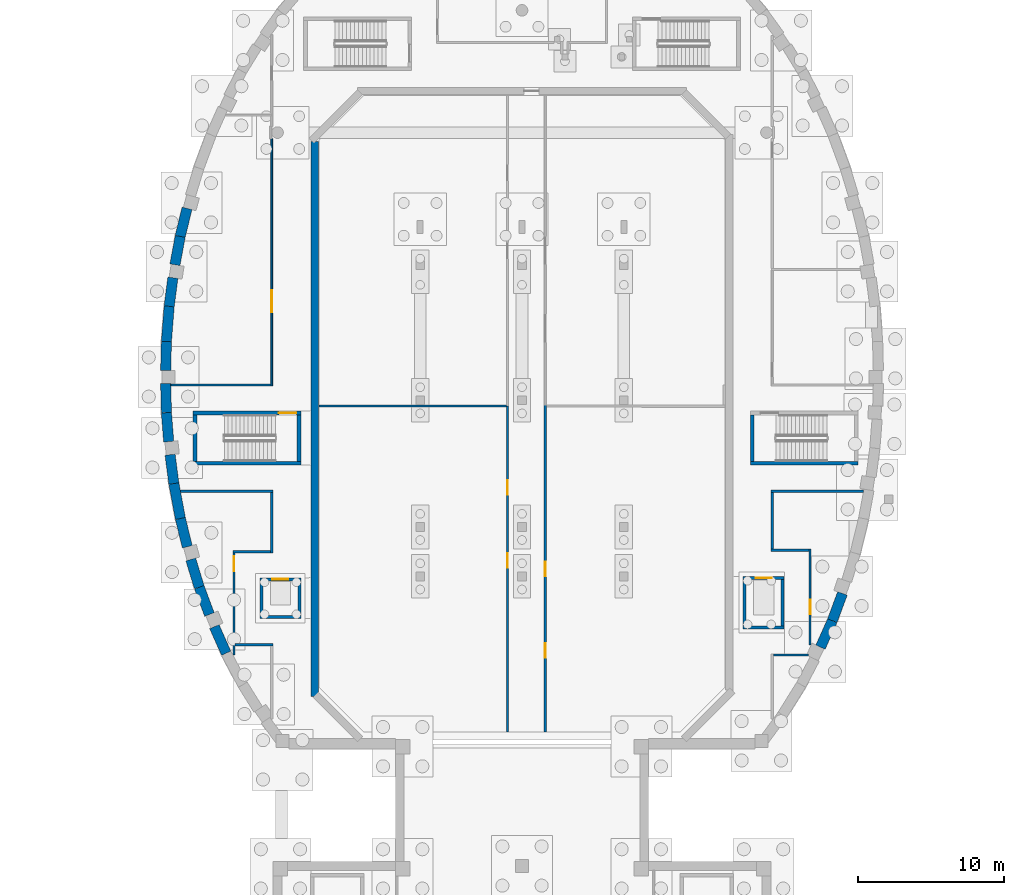
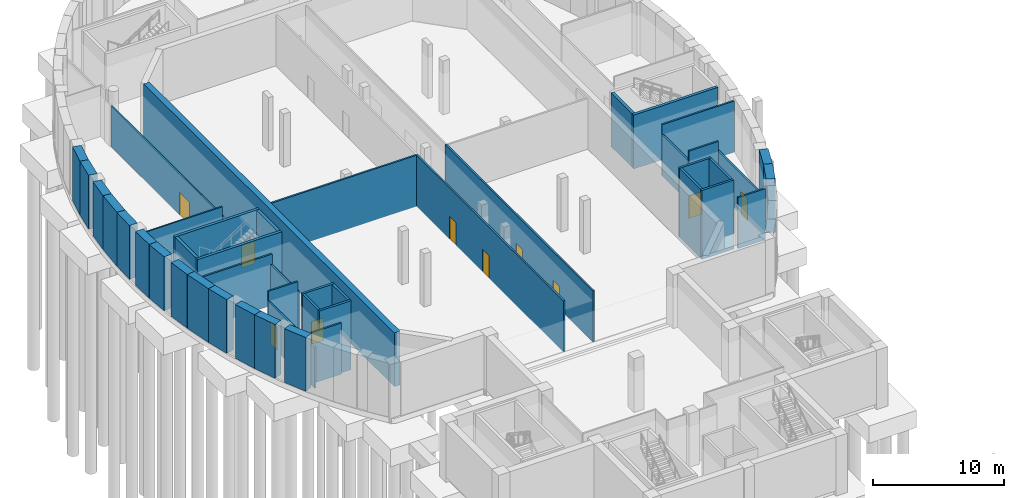
# One storey, part 14 of 33: 45 walls, 10 doors, 10 openings.
"""IFC4 building model written with IfcOpenShell, lengths in metres."""

from ifc_helpers import new_model, si_unit, direction, frame, frame_2d, origin, place, context, subcontext, project, spatial, rectangle, extrude, material, layer, layer_set, type_object, element, fill, save


model = new_model("IFC4")

# Units and contexts
model_context = context("Model", 3, precision=1e-05, world=origin(), true_north=direction((0.0, 1.0)))
body_context = subcontext(model_context, "Body", "Model", "MODEL_VIEW")
ifc_project = project(units=[si_unit("LENGTHUNIT", "METRE"), si_unit("AREAUNIT", "SQUARE_METRE"), si_unit("VOLUMEUNIT", "CUBIC_METRE"), si_unit("PLANEANGLEUNIT", "RADIAN"), si_unit("MASSUNIT", "GRAM", prefix="KILO")], contexts=[model_context])

# Site, building, storey
site_placement = place(None, origin())
site = spatial("IfcSite", under=ifc_project, at=site_placement, CompositionType="ELEMENT")
building_placement = place(site_placement, origin())
building = spatial("IfcBuilding", under=site, at=building_placement, Name="Larchfold Concert Hall", CompositionType="ELEMENT")
storey_placement = place(building_placement, frame((0.0, 0.0, -5.0)))
storey = spatial("IfcBuildingStorey", under=building, at=storey_placement, Name="B1", CompositionType="ELEMENT", Elevation=-5.0)

# Wall, opening, door
ifc_material_1 = material(Name="Plasterboard partition on steel studs", Category="steel")
ifc_layer_1 = layer(ifc_material_1, 0.125)
ifc_layer_set_1 = layer_set([ifc_layer_1], Name="Plasterboard partition on steel studs")
wall_type_1 = type_object("IfcWallType", Name="Corridor partition 125 EI 60", PredefinedType="PARTITIONING", material=ifc_layer_set_1)
wall_1_placement = place(storey_placement, frame((25.399169921875, 100.97998046875, 0.0), z_axis=(0.0, 0.0, 1.0), x_axis=(4.3102829e-05, -0.999999999071, 0.0)))
wall_1 = element("IfcWall", 1, at=wall_1_placement, inside=storey, type_object=wall_type_1, Name="Partition IW0027", PredefinedType="PARTITIONING", context=body_context, shape_type="SweptSolid", body=[
    extrude(rectangle(XDim=16.992431640625, YDim=0.125, at=frame_2d((8.49609375, 0.0))), origin(), (0.0, 0.0, 1.0), 3.800048828125),
])
opening_1_placement = place(wall_1_placement, frame((10.42236328125, 0.0, 0.0)))
opening_1 = element("IfcOpeningElement", 2, at=opening_1_placement, cuts=wall_1, Name="Opening D-B1-113", PredefinedType="OPENING", context=body_context, shape_type="SweptSolid", body=[
    extrude(rectangle(XDim=1.5, YDim=2.10009765625, at=frame_2d((0.75, 1.050048828125))), frame((0.0, 0.072509765625, 0.0), z_axis=(0.0, -1.0, 0.0), x_axis=(1.0, 0.0, 0.0)), (0.0, 0.0, 1.0), 0.14501953125),
])
ifc_material_2 = material(Name="Timber door leaf", Category="wood")
door_type_1 = type_object("IfcDoorType", Name="Cafe, shop and cloakroom door pair 1500 x 2100 FD30S", OperationType="SINGLE_SWING_LEFT", PredefinedType="DOOR", material=ifc_material_2)
door_1_placement = place(opening_1_placement, origin())
door_1 = element("IfcDoor", 3, at=door_1_placement, inside=storey, type_object=door_type_1, Name="Door D-B1-113", OperationType="DOUBLE_DOOR_SINGLE_SWING", OverallHeight=2.10009765625, OverallWidth=1.5, PredefinedType="DOOR", context=body_context, shape_type="SweptSolid", body=[
    extrude(rectangle(XDim=1.5, YDim=2.10009765625, at=frame_2d((0.75, 1.050048828125))), frame((0.0, 0.02490234375, 0.0), z_axis=(0.0, -1.0, 0.0), x_axis=(1.0, 0.0, 0.0)), (0.0, 0.0, 1.0), 0.050048828125),
])
fill(opening_1, door_1)

# Wall
wall_2_placement = place(storey_placement, frame((25.33740234375, 84.050048828125, 0.0), z_axis=(0.0, 0.0, 1.0), x_axis=(-1.0, 0.0, 0.0)))
element("IfcWall", 4, at=wall_2_placement, inside=storey, type_object=wall_type_1, Name="Partition IW0028", PredefinedType="PARTITIONING", context=body_context, shape_type="SweptSolid", body=[
    extrude(rectangle(XDim=6.872314453125, YDim=0.125, at=frame_2d((3.43603515625, 0.0))), origin(), (0.0, 0.0, 1.0), 4.75),
])

# Wall, openings, doors
ifc_material_3 = material(Name="Plasterboard partition on steel studs", Category="steel")
ifc_layer_2 = layer(ifc_material_3, 0.14990234375)
ifc_layer_set_2 = layer_set([ifc_layer_2], Name="Plasterboard partition on steel studs")
wall_type_2 = type_object("IfcWallType", Name="Shaft and plant partition 150 EI 120", PredefinedType="PARTITIONING", material=ifc_layer_set_2)
wall_3_placement = place(storey_placement, frame((44.199951171875, 60.199951171875, 0.0), z_axis=(0.0, 0.0, 1.0), x_axis=(0.0, 1.0, 0.0)))
wall_3 = element("IfcWall", 5, at=wall_3_placement, inside=storey, type_object=wall_type_2, Name="Partition IW0001", PredefinedType="PARTITIONING", context=body_context, shape_type="SweptSolid", body=[
    extrude(rectangle(XDim=22.47509765625, YDim=0.14990234375, at=frame_2d((11.237548828125, 0.0))), origin(), (0.0, 0.0, 1.0), 4.75),
])
opening_2_placement = place(wall_3_placement, frame((10.7099609375, 0.0, 0.0)))
opening_2 = element("IfcOpeningElement", 6, at=opening_2_placement, cuts=wall_3, Name="Opening D-B1-100", PredefinedType="OPENING", context=body_context, shape_type="SweptSolid", body=[
    extrude(rectangle(XDim=1.0, YDim=2.10009765625, at=frame_2d((0.5, 1.050048828125))), frame((0.0, 0.0849609375, 0.0), z_axis=(0.0, -1.0, 0.0), x_axis=(1.0, 0.0, 0.0)), (0.0, 0.0, 1.0), 0.169921875),
])
opening_3_placement = place(wall_3_placement, frame((5.10498046875, 0.0, 0.0)))
opening_3 = element("IfcOpeningElement", 7, at=opening_3_placement, cuts=wall_3, Name="Opening D-B1-101", PredefinedType="OPENING", context=body_context, shape_type="SweptSolid", body=[
    extrude(rectangle(XDim=1.0, YDim=2.10009765625, at=frame_2d((0.5, 1.050048828125))), frame((0.0, 0.0849609375, 0.0), z_axis=(0.0, -1.0, 0.0), x_axis=(1.0, 0.0, 0.0)), (0.0, 0.0, 1.0), 0.169921875),
])
ifc_material_4 = material(Name="Timber door leaf", Category="wood")
door_type_2 = type_object("IfcDoorType", Name="Plant room door 1000 x 2100 FD60", OperationType="SINGLE_SWING_LEFT", PredefinedType="DOOR", material=ifc_material_4)
door_2_placement = place(opening_2_placement, origin())
door_2 = element("IfcDoor", 8, at=door_2_placement, inside=storey, type_object=door_type_2, Name="Door D-B1-100", OperationType="SINGLE_SWING_LEFT", OverallHeight=2.10009765625, OverallWidth=1.0, PredefinedType="DOOR", context=body_context, shape_type="SweptSolid", body=[
    extrude(rectangle(XDim=1.0, YDim=2.10009765625, at=frame_2d((0.5, 1.050048828125))), frame((0.0, 0.02490234375, 0.0), z_axis=(0.0, -1.0, 0.0), x_axis=(1.0, 0.0, 0.0)), (0.0, 0.0, 1.0), 0.050048828125),
])
fill(opening_2, door_2)
door_3_placement = place(opening_3_placement, origin())
door_3 = element("IfcDoor", 9, at=door_3_placement, inside=storey, type_object=door_type_2, Name="Door D-B1-101", OperationType="SINGLE_SWING_LEFT", OverallHeight=2.10009765625, OverallWidth=1.0, PredefinedType="DOOR", context=body_context, shape_type="SweptSolid", body=[
    extrude(rectangle(XDim=1.0, YDim=2.10009765625, at=frame_2d((0.5, 1.050048828125))), frame((0.0, 0.02490234375, 0.0), z_axis=(0.0, -1.0, 0.0), x_axis=(1.0, 0.0, 0.0)), (0.0, 0.0, 1.0), 0.050048828125),
])
fill(opening_3, door_3)

wall_4_placement = place(storey_placement, frame((41.60009765625, 60.199951171875, 0.0), z_axis=(0.0, 0.0, 1.0), x_axis=(0.0, 1.0, 0.0)))
wall_4 = element("IfcWall", 10, at=wall_4_placement, inside=storey, type_object=wall_type_2, Name="Partition IW0004", PredefinedType="PARTITIONING", context=body_context, shape_type="SweptSolid", body=[
    extrude(rectangle(XDim=22.420166015625, YDim=0.14990234375, at=frame_2d((11.2099609375, 0.0))), origin(), (0.0, 0.0, 1.0), 4.75),
])
opening_4_placement = place(wall_4_placement, frame((11.300048828125, 0.0, 0.0)))
opening_4 = element("IfcOpeningElement", 11, at=opening_4_placement, cuts=wall_4, Name="Opening D-B1-104", PredefinedType="OPENING", context=body_context, shape_type="SweptSolid", body=[
    extrude(rectangle(XDim=1.0, YDim=2.10009765625, at=frame_2d((0.5, 1.050048828125))), frame((0.0, 0.0849609375, 0.0), z_axis=(0.0, -1.0, 0.0), x_axis=(1.0, 0.0, 0.0)), (0.0, 0.0, 1.0), 0.169921875),
])
opening_5_placement = place(wall_4_placement, frame((16.31005859375, 0.0, 0.0)))
opening_5 = element("IfcOpeningElement", 12, at=opening_5_placement, cuts=wall_4, Name="Opening D-B1-105", PredefinedType="OPENING", context=body_context, shape_type="SweptSolid", body=[
    extrude(rectangle(XDim=1.0, YDim=2.10009765625, at=frame_2d((0.5, 1.050048828125))), frame((0.0, 0.0849609375, 0.0), z_axis=(0.0, -1.0, 0.0), x_axis=(1.0, 0.0, 0.0)), (0.0, 0.0, 1.0), 0.169921875),
])
door_4_placement = place(opening_4_placement, origin())
door_4 = element("IfcDoor", 13, at=door_4_placement, inside=storey, type_object=door_type_2, Name="Door D-B1-104", OperationType="SINGLE_SWING_RIGHT", OverallHeight=2.10009765625, OverallWidth=1.0, PredefinedType="DOOR", context=body_context, shape_type="SweptSolid", body=[
    extrude(rectangle(XDim=1.0, YDim=2.10009765625, at=frame_2d((0.5, 1.050048828125))), frame((0.0, 0.02490234375, 0.0), z_axis=(0.0, -1.0, 0.0), x_axis=(1.0, 0.0, 0.0)), (0.0, 0.0, 1.0), 0.050048828125),
])
fill(opening_4, door_4)
door_5_placement = place(opening_5_placement, origin())
door_5 = element("IfcDoor", 14, at=door_5_placement, inside=storey, type_object=door_type_2, Name="Door D-B1-105", OperationType="SINGLE_SWING_RIGHT", OverallHeight=2.10009765625, OverallWidth=1.0, PredefinedType="DOOR", context=body_context, shape_type="SweptSolid", body=[
    extrude(rectangle(XDim=1.0, YDim=2.10009765625, at=frame_2d((0.5, 1.050048828125))), frame((0.0, 0.02490234375, 0.0), z_axis=(0.0, -1.0, 0.0), x_axis=(1.0, 0.0, 0.0)), (0.0, 0.0, 1.0), 0.050048828125),
])
fill(opening_5, door_5)

# Walls
wall_5_placement = place(storey_placement, frame((19.137939453125, 76.75, 0.0), z_axis=(0.0, 0.0, 1.0), x_axis=(1.0, 0.0, 0.0)))
element("IfcWall", 15, at=wall_5_placement, inside=storey, type_object=wall_type_2, Name="Partition IW0007", PredefinedType="PARTITIONING", context=body_context, shape_type="SweptSolid", body=[
    extrude(rectangle(XDim=6.337158203125, YDim=0.14990234375, at=frame_2d((3.16845703125, 0.0))), origin(), (0.0, 0.0, 1.0), 4.75),
])
wall_6_placement = place(storey_placement, frame((25.39990234375, 76.675048828125, 0.0), z_axis=(0.0, 0.0, 1.0), x_axis=(0.0, -1.0, 0.0)))
element("IfcWall", 16, at=wall_6_placement, inside=storey, type_object=wall_type_2, Name="Partition IW0008", PredefinedType="PARTITIONING", context=body_context, shape_type="SweptSolid", body=[
    extrude(rectangle(XDim=4.150146484375, YDim=0.14990234375, at=frame_2d((2.0751953125, 0.0))), origin(), (0.0, 0.0, 1.0), 3.800048828125),
])
wall_7_placement = place(storey_placement, frame((25.324951171875, 72.60009765625, 0.0), z_axis=(0.0, 0.0, 1.0), x_axis=(-1.0, 0.0, 0.0)))
element("IfcWall", 17, at=wall_7_placement, inside=storey, type_object=wall_type_2, Name="Partition IW0009", PredefinedType="PARTITIONING", context=body_context, shape_type="SweptSolid", body=[
    extrude(rectangle(XDim=2.599853515625, YDim=0.14990234375, at=frame_2d((1.2998046875, 0.0))), origin(), (0.0, 0.0, 1.0), 4.75),
])

# Wall, opening, door
wall_8_placement = place(storey_placement, frame((22.800048828125, 72.52490234375, 0.0), z_axis=(0.0, 0.0, 1.0), x_axis=(0.0, -1.0, 0.0)))
wall_8 = element("IfcWall", 18, at=wall_8_placement, inside=storey, type_object=wall_type_2, Name="Partition IW0010", PredefinedType="PARTITIONING", context=body_context, shape_type="SweptSolid", body=[
    extrude(rectangle(XDim=7.029296875, YDim=0.14990234375, at=frame_2d((3.5146484375, 0.0))), origin(), (0.0, 0.0, 1.0), 3.800048828125),
])
opening_6_placement = place(wall_8_placement, frame((0.25439453125, 0.0, 0.0)))
opening_6 = element("IfcOpeningElement", 19, at=opening_6_placement, cuts=wall_8, Name="Opening D-B1-103", PredefinedType="OPENING", context=body_context, shape_type="SweptSolid", body=[
    extrude(rectangle(XDim=1.0, YDim=2.10009765625, at=frame_2d((0.5, 1.050048828125))), frame((0.0, 0.0849609375, 0.0), z_axis=(0.0, -1.0, 0.0), x_axis=(1.0, 0.0, 0.0)), (0.0, 0.0, 1.0), 0.169921875),
])
ifc_material_5 = material(Name="Timber door leaf", Category="wood")
door_type_3 = type_object("IfcDoorType", Name="Store door 1000 x 2100 FD60", OperationType="SINGLE_SWING_LEFT", PredefinedType="DOOR", material=ifc_material_5)
door_6_placement = place(opening_6_placement, origin())
door_6 = element("IfcDoor", 20, at=door_6_placement, inside=storey, type_object=door_type_3, Name="Door D-B1-103", OperationType="SINGLE_SWING_RIGHT", OverallHeight=2.10009765625, OverallWidth=1.0, PredefinedType="DOOR", context=body_context, shape_type="SweptSolid", body=[
    extrude(rectangle(XDim=1.0, YDim=2.10009765625, at=frame_2d((0.5, 1.050048828125))), frame((0.0, 0.02490234375, 0.0), z_axis=(0.0, -1.0, 0.0), x_axis=(1.0, 0.0, 0.0)), (0.0, 0.0, 1.0), 0.050048828125),
])
fill(opening_6, door_6)

# Walls
wall_9_placement = place(storey_placement, frame((22.875, 66.199951171875, 0.0), z_axis=(0.0, 0.0, 1.0), x_axis=(1.0, 0.0, 0.0)))
element("IfcWall", 21, at=wall_9_placement, inside=storey, type_object=wall_type_2, Name="Partition IW0011", PredefinedType="PARTITIONING", context=body_context, shape_type="SweptSolid", body=[
    extrude(rectangle(XDim=2.60009765625, YDim=0.14990234375, at=frame_2d((1.300048828125, 0.0))), origin(), (0.0, 0.0, 1.0), 4.75),
])
wall_10_placement = place(storey_placement, frame((28.64990234375, 82.60302734375, 0.0), z_axis=(0.0, 0.0, 1.0), x_axis=(0.999999974111, -0.000227548538, 0.0)))
element("IfcWall", 22, at=wall_10_placement, inside=storey, type_object=wall_type_2, Name="Partition IW0013", PredefinedType="PARTITIONING", context=body_context, shape_type="SweptSolid", body=[
    extrude(rectangle(XDim=12.875, YDim=0.14990234375, at=frame_2d((6.4375, 0.0))), origin(), (0.0, 0.0, 1.0), 4.75),
])
wall_11_placement = place(storey_placement, frame((59.72509765625, 76.75, 0.0), z_axis=(0.0, 0.0, 1.0), x_axis=(1.0, 0.0, 0.0)))
element("IfcWall", 23, at=wall_11_placement, inside=storey, type_object=wall_type_2, Name="Partition IW0014", PredefinedType="PARTITIONING", context=body_context, shape_type="SweptSolid", body=[
    extrude(rectangle(XDim=6.3369140625, YDim=0.14990234375, at=frame_2d((3.16845703125, 0.0))), origin(), (0.0, 0.0, 1.0), 4.75),
])
wall_12_placement = place(storey_placement, frame((59.875, 65.5, 0.0), z_axis=(0.0, 0.0, 1.0), x_axis=(1.0, 0.0, 0.0)))
element("IfcWall", 24, at=wall_12_placement, inside=storey, type_object=wall_type_2, Name="Partition IW0016", PredefinedType="PARTITIONING", context=body_context, shape_type="SweptSolid", body=[
    extrude(rectangle(XDim=2.4033203125, YDim=0.14990234375, at=frame_2d((1.20166015625, 0.0))), origin(), (0.0, 0.0, 1.0), 4.75),
])

# Wall, opening, door
wall_13_placement = place(storey_placement, frame((62.39990234375, 66.178955078125, 0.0), z_axis=(0.0, 0.0, 1.0), x_axis=(0.0, 1.0, 0.0)))
wall_13 = element("IfcWall", 25, at=wall_13_placement, inside=storey, type_object=wall_type_2, Name="Partition IW0017", PredefinedType="PARTITIONING", context=body_context, shape_type="SweptSolid", body=[
    extrude(rectangle(XDim=6.595947265625, YDim=0.14990234375, at=frame_2d((3.2978515625, 0.0))), origin(), (0.0, 0.0, 1.0), 3.800048828125),
])
opening_7_placement = place(wall_13_placement, frame((2.131591796875, 0.0, 0.0)))
opening_7 = element("IfcOpeningElement", 26, at=opening_7_placement, cuts=wall_13, Name="Opening D-B1-106", PredefinedType="OPENING", context=body_context, shape_type="SweptSolid", body=[
    extrude(rectangle(XDim=1.0, YDim=2.10009765625, at=frame_2d((0.5, 1.050048828125))), frame((0.0, 0.0849609375, 0.0), z_axis=(0.0, -1.0, 0.0), x_axis=(1.0, 0.0, 0.0)), (0.0, 0.0, 1.0), 0.169921875),
])
door_7_placement = place(opening_7_placement, origin())
door_7 = element("IfcDoor", 27, at=door_7_placement, inside=storey, type_object=door_type_3, Name="Door D-B1-106", OperationType="SINGLE_SWING_LEFT", OverallHeight=2.10009765625, OverallWidth=1.0, PredefinedType="DOOR", context=body_context, shape_type="SweptSolid", body=[
    extrude(rectangle(XDim=1.0, YDim=2.10009765625, at=frame_2d((0.5, 1.050048828125))), frame((0.0, 0.02490234375, 0.0), z_axis=(0.0, -1.0, 0.0), x_axis=(1.0, 0.0, 0.0)), (0.0, 0.0, 1.0), 0.050048828125),
])
fill(opening_7, door_7)

# Walls
wall_14_placement = place(storey_placement, frame((62.324951171875, 72.699951171875, 0.0), z_axis=(0.0, 0.0, 1.0), x_axis=(-1.0, 0.0, 0.0)))
element("IfcWall", 28, at=wall_14_placement, inside=storey, type_object=wall_type_2, Name="Partition IW0018", PredefinedType="PARTITIONING", context=body_context, shape_type="SweptSolid", body=[
    extrude(rectangle(XDim=2.599853515625, YDim=0.14990234375, at=frame_2d((1.2998046875, 0.0))), origin(), (0.0, 0.0, 1.0), 4.75),
])
wall_15_placement = place(storey_placement, frame((59.800048828125, 72.77490234375, 0.0), z_axis=(0.0, 0.0, 1.0), x_axis=(0.0, 1.0, 0.0)))
element("IfcWall", 29, at=wall_15_placement, inside=storey, type_object=wall_type_2, Name="Partition IW0019", PredefinedType="PARTITIONING", context=body_context, shape_type="SweptSolid", body=[
    extrude(rectangle(XDim=3.900146484375, YDim=0.14990234375, at=frame_2d((1.9501953125, 0.0))), origin(), (0.0, 0.0, 1.0), 3.800048828125),
])
ifc_material_6 = material(Name="Concrete C40/50", Category="concrete")
ifc_layer_3 = layer(ifc_material_6, 0.199951171875)
ifc_layer_set_3 = layer_set([ifc_layer_3], Name="Concrete C40/50")
wall_type_3 = type_object("IfcWallType", Name="Wall RC 200 lift shaft", PredefinedType="SOLIDWALL", material=ifc_layer_set_3)
wall_16_placement = place(storey_placement, frame((57.800048828125, 67.400146484375, -1.39990234375), z_axis=(0.0, 0.0, 1.0), x_axis=(1.0, 0.0, 0.0)))
element("IfcWall", 30, at=wall_16_placement, inside=storey, type_object=wall_type_3, Name="Wall W0172", PredefinedType="SOLIDWALL", context=body_context, shape_type="SweptSolid", body=[
    extrude(rectangle(XDim=2.800048828125, YDim=0.199951171875, at=frame_2d((1.39990234375, 0.0))), origin(), (0.0, 0.0, 1.0), 6.39990234375),
])

# Wall, opening, door
wall_17_placement = place(storey_placement, frame((57.800048828125, 70.7998046875, -1.39990234375), z_axis=(0.0, 0.0, 1.0), x_axis=(1.0, 0.0, 0.0)))
wall_17 = element("IfcWall", 31, at=wall_17_placement, inside=storey, type_object=wall_type_3, Name="Wall W0173", PredefinedType="SOLIDWALL", context=body_context, shape_type="SweptSolid", body=[
    extrude(rectangle(XDim=2.800048828125, YDim=0.199951171875, at=frame_2d((1.39990234375, 0.0))), origin(), (0.0, 0.0, 1.0), 6.39990234375),
])
opening_8_placement = place(wall_17_placement, frame((0.85009765625, 0.0, 1.39990234375)))
opening_8 = element("IfcOpeningElement", 32, at=opening_8_placement, cuts=wall_17, Name="Opening LD-LF01", PredefinedType="OPENING", context=body_context, shape_type="SweptSolid", body=[
    extrude(rectangle(XDim=1.10009765625, YDim=2.10009765625, at=frame_2d((0.550048828125, 1.050048828125))), frame((0.0, 0.10986328125, 0.0), z_axis=(0.0, -1.0, 0.0), x_axis=(1.0, 0.0, 0.0)), (0.0, 0.0, 1.0), 0.219970703125),
])
ifc_material_7 = material(Name="Stainless steel sliding leaves", Category="steel")
door_type_4 = type_object("IfcDoorType", Name="Lift landing door sliding 1100 x 2100", OperationType="SLIDING_TO_LEFT", PredefinedType="DOOR", material=ifc_material_7)
door_8_placement = place(opening_8_placement, origin())
door_8 = element("IfcDoor", 33, at=door_8_placement, inside=storey, type_object=door_type_4, Name="Lift landing door LF01", OperationType="SLIDING_TO_LEFT", OverallHeight=2.10009765625, OverallWidth=1.10009765625, PredefinedType="DOOR", context=body_context, shape_type="SweptSolid", body=[
    extrude(rectangle(XDim=1.10009765625, YDim=2.10009765625, at=frame_2d((0.550048828125, 1.050048828125))), frame((0.0, 0.02490234375, 0.0), z_axis=(0.0, -1.0, 0.0), x_axis=(1.0, 0.0, 0.0)), (0.0, 0.0, 1.0), 0.050048828125),
])
fill(opening_8, door_8)

# Walls
for number, where, z_axis, x_axis, name in (
    (34, (57.900146484375, 67.5, -1.39990234375), (0.0, 0.0, 1.0), (0.0, 1.0, 0.0), "Wall W0174"),
    (35, (60.5, 67.5, -1.39990234375), (0.0, 0.0, 1.0), (0.0, 1.0, 0.0), "Wall W0175"),
):
    element("IfcWall", number, at=place(storey_placement, frame(where, z_axis=z_axis, x_axis=x_axis)), inside=storey, type_object=wall_type_3, Name=name, PredefinedType="SOLIDWALL", context=body_context, shape_type="SweptSolid", body=[
        extrude(rectangle(XDim=3.199951171875, YDim=0.199951171875, at=frame_2d((1.60009765625, 0.0))), origin(), (0.0, 0.0, 1.0), 6.39990234375),
    ])
wall_18_placement = place(storey_placement, frame((24.60009765625, 68.10009765625, -1.39990234375), z_axis=(0.0, 0.0, 1.0), x_axis=(1.0, 0.0, 0.0)))
element("IfcWall", 36, at=wall_18_placement, inside=storey, type_object=wall_type_3, Name="Wall W0176", PredefinedType="SOLIDWALL", context=body_context, shape_type="SweptSolid", body=[
    extrude(rectangle(XDim=2.7998046875, YDim=0.199951171875, at=frame_2d((1.39990234375, 0.0))), origin(), (0.0, 0.0, 1.0), 6.39990234375),
])

# Wall, opening, door
wall_19_placement = place(storey_placement, frame((24.60009765625, 70.699951171875, -1.39990234375), z_axis=(0.0, 0.0, 1.0), x_axis=(1.0, 0.0, 0.0)))
wall_19 = element("IfcWall", 37, at=wall_19_placement, inside=storey, type_object=wall_type_3, Name="Wall W0177", PredefinedType="SOLIDWALL", context=body_context, shape_type="SweptSolid", body=[
    extrude(rectangle(XDim=2.7998046875, YDim=0.199951171875, at=frame_2d((1.39990234375, 0.0))), origin(), (0.0, 0.0, 1.0), 6.39990234375),
])
opening_9_placement = place(wall_19_placement, frame((0.849853515625, 0.0, 1.39990234375)))
opening_9 = element("IfcOpeningElement", 38, at=opening_9_placement, cuts=wall_19, Name="Opening LD-LF02", PredefinedType="OPENING", context=body_context, shape_type="SweptSolid", body=[
    extrude(rectangle(XDim=1.10009765625, YDim=2.10009765625, at=frame_2d((0.550048828125, 1.050048828125))), frame((0.0, 0.10986328125, 0.0), z_axis=(0.0, -1.0, 0.0), x_axis=(1.0, 0.0, 0.0)), (0.0, 0.0, 1.0), 0.219970703125),
])
door_9_placement = place(opening_9_placement, origin())
door_9 = element("IfcDoor", 39, at=door_9_placement, inside=storey, type_object=door_type_4, Name="Lift landing door LF02", OperationType="SLIDING_TO_LEFT", OverallHeight=2.10009765625, OverallWidth=1.10009765625, PredefinedType="DOOR", context=body_context, shape_type="SweptSolid", body=[
    extrude(rectangle(XDim=1.10009765625, YDim=2.10009765625, at=frame_2d((0.550048828125, 1.050048828125))), frame((0.0, 0.02490234375, 0.0), z_axis=(0.0, -1.0, 0.0), x_axis=(1.0, 0.0, 0.0)), (0.0, 0.0, 1.0), 0.050048828125),
])
fill(opening_9, door_9)

# Walls
for number, where, z_axis, x_axis, name in (
    (40, (24.7001953125, 68.199951171875, -1.39990234375), (0.0, 0.0, 1.0), (0.0, 1.0, 0.0), "Wall W0178"),
    (41, (27.2998046875, 68.199951171875, -1.39990234375), (0.0, 0.0, 1.0), (0.0, 1.0, 0.0), "Wall W0179"),
):
    element("IfcWall", number, at=place(storey_placement, frame(where, z_axis=z_axis, x_axis=x_axis)), inside=storey, type_object=wall_type_3, Name=name, PredefinedType="SOLIDWALL", context=body_context, shape_type="SweptSolid", body=[
        extrude(rectangle(XDim=2.400146484375, YDim=0.199951171875, at=frame_2d((1.2001953125, 0.0))), origin(), (0.0, 0.0, 1.0), 6.39990234375),
    ])
ifc_material_8 = material(Name="Concrete C40/50", Category="concrete")
ifc_layer_4 = layer(ifc_material_8, 0.25)
ifc_layer_set_4 = layer_set([ifc_layer_4], Name="Concrete C40/50")
wall_type_4 = type_object("IfcWallType", Name="Wall RC 250 stair core", PredefinedType="SOLIDWALL", material=ifc_layer_set_4)
wall_20_placement = place(storey_placement, frame((20.0, 78.675048828125, 0.0), z_axis=(0.0, 0.0, 1.0), x_axis=(1.0, 0.0, 0.0)))
element("IfcWall", 42, at=wall_20_placement, inside=storey, type_object=wall_type_4, Name="Wall W0128", PredefinedType="SOLIDWALL", context=body_context, shape_type="SweptSolid", body=[
    extrude(rectangle(XDim=7.39990234375, YDim=0.25, at=frame_2d((3.699951171875, 0.0))), origin(), (0.0, 0.0, 1.0), 5.0),
])

# Wall, opening, door
wall_21_placement = place(storey_placement, frame((20.0, 82.125, 0.0), z_axis=(0.0, 0.0, 1.0), x_axis=(1.0, 0.0, 0.0)))
wall_21 = element("IfcWall", 43, at=wall_21_placement, inside=storey, type_object=wall_type_4, Name="Wall W0129", PredefinedType="SOLIDWALL", context=body_context, shape_type="SweptSolid", body=[
    extrude(rectangle(XDim=7.39990234375, YDim=0.25, at=frame_2d((3.699951171875, 0.0))), origin(), (0.0, 0.0, 1.0), 5.0),
])
opening_10_placement = place(wall_21_placement, frame((5.89990234375, 0.0, 0.0)))
opening_10 = element("IfcOpeningElement", 44, at=opening_10_placement, cuts=wall_21, Name="Opening D-B1-146", PredefinedType="OPENING", context=body_context, shape_type="SweptSolid", body=[
    extrude(rectangle(XDim=1.199951171875, YDim=2.10009765625, at=frame_2d((0.60009765625, 1.050048828125))), frame((0.0, 0.135009765625, 0.0), z_axis=(0.0, -1.0, 0.0), x_axis=(1.0, 0.0, 0.0)), (0.0, 0.0, 1.0), 0.27001953125),
])
ifc_material_9 = material(Name="Timber door leaf", Category="wood")
door_type_5 = type_object("IfcDoorType", Name="Stair enclosure door pair 1200 x 2100 FD60", OperationType="SINGLE_SWING_LEFT", PredefinedType="DOOR", material=ifc_material_9)
door_10_placement = place(opening_10_placement, origin())
door_10 = element("IfcDoor", 45, at=door_10_placement, inside=storey, type_object=door_type_5, Name="Door D-B1-146", OperationType="DOUBLE_DOOR_SINGLE_SWING", OverallHeight=2.10009765625, OverallWidth=1.199951171875, PredefinedType="DOOR", context=body_context, shape_type="SweptSolid", body=[
    extrude(rectangle(XDim=1.199951171875, YDim=2.10009765625, at=frame_2d((0.60009765625, 1.050048828125))), frame((0.0, 0.02490234375, 0.0), z_axis=(0.0, -1.0, 0.0), x_axis=(1.0, 0.0, 0.0)), (0.0, 0.0, 1.0), 0.050048828125),
])
fill(opening_10, door_10)

# Walls
for number, where, z_axis, x_axis, name in (
    (46, (20.125, 78.800048828125, 0.0), (0.0, 0.0, 1.0), (0.0, 1.0, 0.0), "Wall W0130"),
    (47, (27.27490234375, 78.800048828125, 0.0), (0.0, 0.0, 1.0), (0.0, 1.0, 0.0), "Wall W0131"),
):
    element("IfcWall", number, at=place(storey_placement, frame(where, z_axis=z_axis, x_axis=x_axis)), inside=storey, type_object=wall_type_4, Name=name, PredefinedType="SOLIDWALL", context=body_context, shape_type="SweptSolid", body=[
        extrude(rectangle(XDim=3.199951171875, YDim=0.25, at=frame_2d((1.60009765625, 0.0))), origin(), (0.0, 0.0, 1.0), 5.0),
    ])
wall_22_placement = place(storey_placement, frame((58.300048828125, 78.675048828125, 0.0), z_axis=(0.0, 0.0, 1.0), x_axis=(1.0, 0.0, 0.0)))
element("IfcWall", 48, at=wall_22_placement, inside=storey, type_object=wall_type_4, Name="Wall W0132", PredefinedType="SOLIDWALL", context=body_context, shape_type="SweptSolid", body=[
    extrude(rectangle(XDim=7.39990234375, YDim=0.25, at=frame_2d((3.699951171875, 0.0))), origin(), (0.0, 0.0, 1.0), 5.0),
])
wall_23_placement = place(storey_placement, frame((58.425048828125, 78.800048828125, 0.0), z_axis=(0.0, 0.0, 1.0), x_axis=(0.0, 1.0, 0.0)))
element("IfcWall", 49, at=wall_23_placement, inside=storey, type_object=wall_type_4, Name="Wall W0134", PredefinedType="SOLIDWALL", context=body_context, shape_type="SweptSolid", body=[
    extrude(rectangle(XDim=3.199951171875, YDim=0.25, at=frame_2d((1.60009765625, 0.0))), origin(), (0.0, 0.0, 1.0), 5.0),
])
ifc_material_10 = material(Name="Concrete C40/50", Category="concrete")
ifc_layer_5 = layer(ifc_material_10, 0.5)
ifc_layer_set_5 = layer_set([ifc_layer_5], Name="Concrete C40/50")
wall_type_5 = type_object("IfcWallType", Name="Wall RC 500 hall shell", PredefinedType="SOLIDWALL", material=ifc_layer_set_5)
wall_24_placement = place(storey_placement, frame((28.35009765625, 100.800048828125, 0.0), z_axis=(0.0, 0.0, 1.0), x_axis=(0.0, -1.0, 0.0)))
element("IfcWall", 50, at=wall_24_placement, inside=storey, type_object=wall_type_5, Name="Wall W0006", PredefinedType="SOLIDWALL", context=body_context, shape_type="SweptSolid", body=[
    extrude(rectangle(XDim=38.1513671875, YDim=0.5, at=frame_2d((19.07568359375, 0.0))), origin(), (0.0, 0.0, 1.0), 5.0),
])
ifc_material_11 = material(Name="Concrete C30/37", Category="concrete")
ifc_layer_6 = layer(ifc_material_11, 0.699951171875)
ifc_layer_set_6 = layer_set([ifc_layer_6], Name="Concrete C30/37")
wall_type_6 = type_object("IfcWallType", Name="Wall RC 700 retaining wall", PredefinedType="SOLIDWALL", material=ifc_layer_set_6)
wall_25_placement = place(storey_placement, frame((22.27197265625, 65.6220703125, 0.0), z_axis=(0.0, 0.0, 1.0), x_axis=(-0.406841164328, 0.913498914618, 0.0)))
element("IfcWall", 51, at=wall_25_placement, inside=storey, type_object=wall_type_6, Name="Wall W0031", PredefinedType="SOLIDWALL", context=body_context, shape_type="SweptSolid", body=[
    extrude(rectangle(XDim=1.998291015625, YDim=0.699951171875, at=frame_2d((0.9990234375, 0.0))), origin(), (0.0, 0.0, 1.0), 5.0),
])
for number, where, z_axis, x_axis, name in (
    (52, (21.118896484375, 68.28076171875, 0.0), (0.0, 0.0, 1.0), (-0.348873446007, 0.937169845157, 0.0), "Wall W0032"),
    (53, (20.421630859375, 70.154296875, 0.0), (0.0, 0.0, 1.0), (-0.292566107815, 0.956245299365, 0.0), "Wall W0033"),
    (54, (19.598388671875, 72.93310546875, 0.0), (0.0, 0.0, 1.0), (-0.237473582777, 0.971393997039, 0.0), "Wall W0034"),
):
    element("IfcWall", number, at=place(storey_placement, frame(where, z_axis=z_axis, x_axis=x_axis)), inside=storey, type_object=wall_type_6, Name=name, PredefinedType="SOLIDWALL", context=body_context, shape_type="SweptSolid", body=[
        extrude(rectangle(XDim=1.99853515625, YDim=0.699951171875, at=frame_2d((0.999267578125, 0.0))), origin(), (0.0, 0.0, 1.0), 5.0),
    ])
wall_26_placement = place(storey_placement, frame((19.123779296875, 74.875, 0.0), z_axis=(0.0, 0.0, 1.0), x_axis=(-0.183560061047, 0.983008496397, 0.0)))
element("IfcWall", 55, at=wall_26_placement, inside=storey, type_object=wall_type_6, Name="Wall W0035", PredefinedType="SOLIDWALL", context=body_context, shape_type="SweptSolid", body=[
    extrude(rectangle(XDim=2.448486328125, YDim=0.699951171875, at=frame_2d((1.22412109375, 0.0))), origin(), (0.0, 0.0, 1.0), 5.0),
])
wall_27_placement = place(storey_placement, frame((18.67431640625, 77.282470703125, 0.0), z_axis=(0.0, 0.0, 1.0), x_axis=(-0.130467152696, 0.991452632286, 0.0)))
element("IfcWall", 56, at=wall_27_placement, inside=storey, type_object=wall_type_6, Name="Wall W0036", PredefinedType="SOLIDWALL", context=body_context, shape_type="SweptSolid", body=[
    extrude(rectangle(XDim=1.99853515625, YDim=0.699951171875, at=frame_2d((0.999267578125, 0.0))), origin(), (0.0, 0.0, 1.0), 5.0),
])
for number, where, z_axis, x_axis, name in (
    (57, (18.319580078125, 80.158935546875, 0.0), (0.0, 0.0, 1.0), (-0.078050803197, 0.996949382928, 0.0), "Wall W0037"),
    (58, (18.16357421875, 82.152099609375, 0.0), (0.0, 0.0, 1.0), (-0.025895516476, 0.999664654885, 0.0), "Wall W0038"),
):
    element("IfcWall", number, at=place(storey_placement, frame(where, z_axis=z_axis, x_axis=x_axis)), inside=storey, type_object=wall_type_6, Name=name, PredefinedType="SOLIDWALL", context=body_context, shape_type="SweptSolid", body=[
        extrude(rectangle(XDim=1.998779296875, YDim=0.699951171875, at=frame_2d((0.99951171875, 0.0))), origin(), (0.0, 0.0, 1.0), 5.0),
    ])
wall_28_placement = place(storey_placement, frame((18.11181640625, 85.050048828125, 0.0), z_axis=(0.0, 0.0, 1.0), x_axis=(0.025724062798, 0.999669081543, 0.0)))
element("IfcWall", 59, at=wall_28_placement, inside=storey, type_object=wall_type_6, Name="Wall W0039", PredefinedType="SOLIDWALL", context=body_context, shape_type="SweptSolid", body=[
    extrude(rectangle(XDim=1.983642578125, YDim=0.699951171875, at=frame_2d((0.99169921875, 0.0))), origin(), (0.0, 0.0, 1.0), 5.0),
])
wall_29_placement = place(storey_placement, frame((18.162841796875, 87.033447265625, 0.0), z_axis=(0.0, 0.0, 1.0), x_axis=(0.077555774931, 0.99698801486, 0.0)))
element("IfcWall", 60, at=wall_29_placement, inside=storey, type_object=wall_type_6, Name="Wall W0040", PredefinedType="SOLIDWALL", context=body_context, shape_type="SweptSolid", body=[
    extrude(rectangle(XDim=2.433349609375, YDim=0.699951171875, at=frame_2d((1.216796875, 0.0))), origin(), (0.0, 0.0, 1.0), 5.0),
])
wall_30_placement = place(storey_placement, frame((18.3515625, 89.4599609375, 0.0), z_axis=(0.0, 0.0, 1.0), x_axis=(0.129728552842, 0.991549546204, 0.0)))
element("IfcWall", 61, at=wall_30_placement, inside=storey, type_object=wall_type_6, Name="Wall W0041", PredefinedType="SOLIDWALL", context=body_context, shape_type="SweptSolid", body=[
    extrude(rectangle(XDim=1.983642578125, YDim=0.699951171875, at=frame_2d((0.99169921875, 0.0))), origin(), (0.0, 0.0, 1.0), 5.0),
])
for number, where, z_axis, x_axis, name in (
    (62, (18.749267578125, 92.315673828125, 0.0), (0.0, 0.0, 1.0), (0.18241541525, 0.983221549946, 0.0), "Wall W0042"),
    (63, (19.111083984375, 94.266357421875, 0.0), (0.0, 0.0, 1.0), (0.235955816909, 0.971763784295, 0.0), "Wall W0043"),
):
    element("IfcWall", number, at=place(storey_placement, frame(where, z_axis=z_axis, x_axis=x_axis)), inside=storey, type_object=wall_type_6, Name=name, PredefinedType="SOLIDWALL", context=body_context, shape_type="SweptSolid", body=[
        extrude(rectangle(XDim=1.9833984375, YDim=0.699951171875, at=frame_2d((0.99169921875, 0.0))), origin(), (0.0, 0.0, 1.0), 5.0),
    ])
wall_31_placement = place(storey_placement, frame((64.62158203125, 69.732177734375, 0.0), z_axis=(0.0, 0.0, 1.0), x_axis=(-0.348873446007, -0.937169845157, 0.0)))
element("IfcWall", 64, at=wall_31_placement, inside=storey, type_object=wall_type_6, Name="Wall W0083", PredefinedType="SOLIDWALL", context=body_context, shape_type="SweptSolid", body=[
    extrude(rectangle(XDim=1.99853515625, YDim=0.699951171875, at=frame_2d((0.999267578125, 0.0))), origin(), (0.0, 0.0, 1.0), 5.0),
])
wall_32_placement = place(storey_placement, frame((63.92431640625, 67.858642578125, 0.0), z_axis=(0.0, 0.0, 1.0), x_axis=(-0.406841164328, -0.913498914618, 0.0)))
element("IfcWall", 65, at=wall_32_placement, inside=storey, type_object=wall_type_6, Name="Wall W0084", PredefinedType="SOLIDWALL", context=body_context, shape_type="SweptSolid", body=[
    extrude(rectangle(XDim=1.998291015625, YDim=0.699951171875, at=frame_2d((0.9990234375, 0.0))), origin(), (0.0, 0.0, 1.0), 5.0),
])

save(model, "model.ifc")
